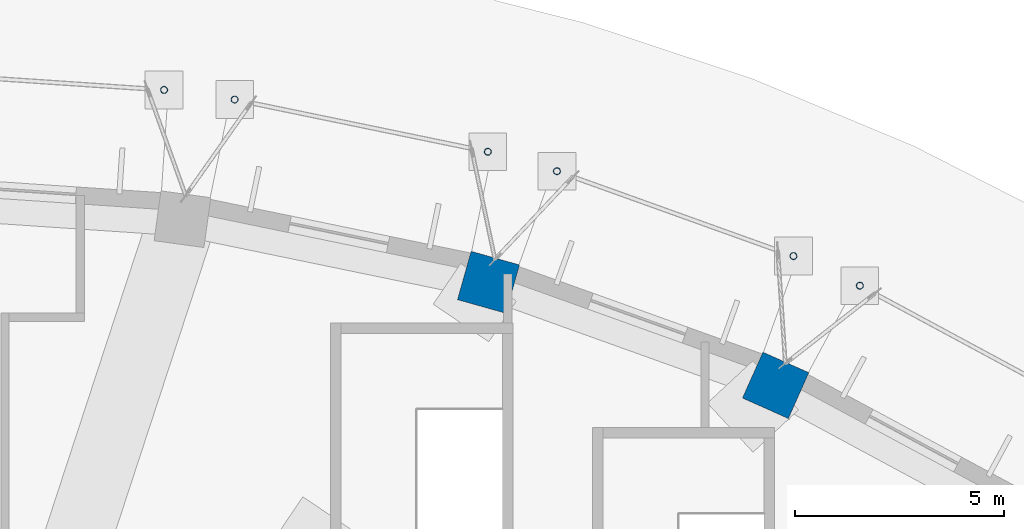
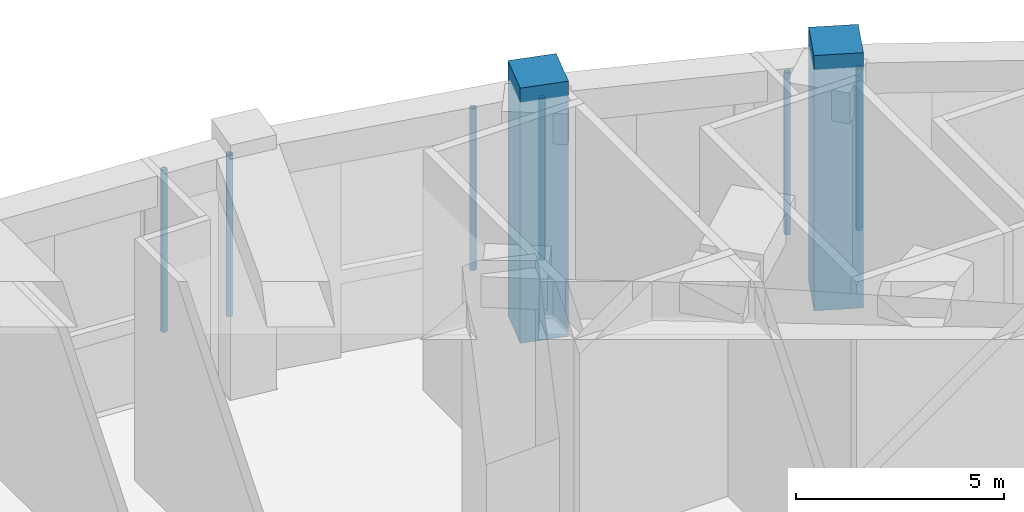
# One storey, part 20 of 60: 8 columns.
"""IFC4 building model written with IfcOpenShell, lengths in metres."""

import ifcopenshell
import ifcopenshell.guid

model = None  # the IFC model being written
_history = None  # IfcOwnerHistory: only IFC2X3 demands one
_inside = {}  # id of a spatial element -> (the spatial element, [elements in it])
_under = {}  # id of a project, library or spatial element -> (it, [spatial elements below it])
_declared = {}  # id of a project -> (the project, [libraries it declares])
_typed = {}  # id of a type object -> (the type object, [elements of that type])
_made_of = {}  # id of a material, layer set ... -> (it, [elements and type objects made of it])


def new_model(schema):
    """Start an empty IFC model of exactly this schema.

    Asked for "IFC4X3", IfcOpenShell would pick the latest addendum, in which some entities
    have other attributes; the version numbers below select the first issue.
    IFC2X3 requires an IfcOwnerHistory on every rooted entity: one is made here for all.
    """
    global model, _history
    if schema == "IFC4X3":
        model = ifcopenshell.file(schema_version=(4, 3, 0, 0))
    else:
        model = ifcopenshell.file(schema=schema)
    _inside.clear()
    _under.clear()
    _declared.clear()
    _typed.clear()
    _made_of.clear()
    _history = None
    if model.schema == "IFC2X3":
        org = make("IfcOrganization", Name="unknown")
        user = make(
            "IfcPersonAndOrganization",
            ThePerson=make("IfcPerson", FamilyName="unknown"),
            TheOrganization=org,
        )
        app = make(
            "IfcApplication",
            ApplicationDeveloper=org,
            Version="unknown",
            ApplicationFullName="unknown",
            ApplicationIdentifier="unknown",
        )
        _history = make(
            "IfcOwnerHistory",
            OwningUser=user,
            OwningApplication=app,
            ChangeAction="ADDED",
            CreationDate=0,
        )
    return model


def make(cls, **values):
    """One entity of the class cls with the attributes given. An attribute that is None is left unset."""
    return model.create_entity(
        cls, **{name: value for name, value in values.items() if value is not None}
    )


def rooted(cls, **values):
    """An entity with a GlobalId (a new one), such as an element, a storey or a relation."""
    return make(cls, GlobalId=ifcopenshell.guid.new(), OwnerHistory=_history, **values)


def si_unit(unit_type, name, prefix=None):
    """IfcSIUnit, for example si_unit("LENGTHUNIT", "METRE", prefix="MILLI")."""
    return make("IfcSIUnit", UnitType=unit_type, Prefix=prefix, Name=name)


def assignment(units):
    """IfcUnitAssignment: the units of a project."""
    return None if units is None else make("IfcUnitAssignment", Units=units)


def point(xyz):
    """IfcCartesianPoint."""
    return None if xyz is None else make("IfcCartesianPoint", Coordinates=xyz)


def direction(xyz):
    """IfcDirection."""
    return None if xyz is None else make("IfcDirection", DirectionRatios=xyz)


def frame(location, z_axis=None, x_axis=None):
    """IfcAxis2Placement3D, a coordinate frame: its origin and axes. An axis left out is left unset."""
    return make(
        "IfcAxis2Placement3D",
        Location=point(location),
        Axis=direction(z_axis),
        RefDirection=direction(x_axis),
    )


def frame_2d(location, x_axis=None):
    """IfcAxis2Placement2D, a coordinate frame in the plane: its origin and x axis."""
    return make(
        "IfcAxis2Placement2D", Location=point(location), RefDirection=direction(x_axis)
    )


def origin():
    """The frame at (0, 0, 0) with its axes left unset."""
    return frame((0.0, 0.0, 0.0))


def origin_2d():
    """The frame at (0, 0) in the plane with its x axis left unset."""
    return frame_2d((0.0, 0.0))


def place(relative_to, where):
    """IfcLocalPlacement: puts the frame where relative to a parent placement (None: the world)."""
    return make(
        "IfcLocalPlacement", PlacementRelTo=relative_to, RelativePlacement=where
    )


def context(
    kind, dimensions, precision=None, world=None, true_north=None, identifier=None
):
    """IfcGeometricRepresentationContext, for example the 3D "Model" context."""
    return make(
        "IfcGeometricRepresentationContext",
        ContextIdentifier=identifier,
        ContextType=kind,
        CoordinateSpaceDimension=dimensions,
        Precision=precision,
        WorldCoordinateSystem=world,
        TrueNorth=true_north,
    )


def subcontext(parent, identifier, kind, view, scale=None):
    """IfcGeometricRepresentationSubContext, for example "Body" below "Model"."""
    return make(
        "IfcGeometricRepresentationSubContext",
        ContextIdentifier=identifier,
        ContextType=kind,
        ParentContext=parent,
        TargetScale=scale,
        TargetView=view,
    )


def project(units=None, contexts=None):
    """IfcProject with its units and contexts."""
    return rooted(
        "IfcProject",
        Name="project",
        RepresentationContexts=contexts,
        UnitsInContext=assignment(units),
    )


def spatial(cls, under=None, at=None, **own):
    """A site, building, storey or space (cls), placed at a placement, below another one or the project."""
    s = rooted(cls, ObjectPlacement=at, **own)
    if under is not None:
        _under.setdefault(under.id(), (under, []))[1].append(s)
    return s


def profile(cls, at=None, kind="AREA", **sizes):
    """A parametric profile (cls). Its sizes go by their IFC names, for example OverallWidth=200.0."""
    return make(cls, ProfileType=kind, Position=at, **sizes)


def rectangle(**sizes):
    """IfcRectangleProfileDef."""
    return profile("IfcRectangleProfileDef", **sizes)


def hollow_circle(**sizes):
    """IfcCircleHollowProfileDef."""
    return profile("IfcCircleHollowProfileDef", **sizes)


def extrude(swept, where, along, depth):
    """IfcExtrudedAreaSolid: the profile swept, set in the frame where, extruded along a direction by depth."""
    return make(
        "IfcExtrudedAreaSolid",
        SweptArea=swept,
        Position=where,
        ExtrudedDirection=direction(along),
        Depth=depth,
    )


def shape(context_of_items, identifier, shape_type, items):
    """IfcShapeRepresentation: the items that make up one representation, for example the "Body"."""
    return make(
        "IfcShapeRepresentation",
        ContextOfItems=context_of_items,
        RepresentationIdentifier=identifier,
        RepresentationType=shape_type,
        Items=items,
    )


def material(Name=None, Category=None):
    """IfcMaterial."""
    return make("IfcMaterial", Name=Name, Category=Category)


def material_profile(
    of_material, cross_section, Name=None, Category=None, Priority=None
):
    """IfcMaterialProfile: a cross section and its material."""
    return make(
        "IfcMaterialProfile",
        Name=Name,
        Material=of_material,
        Profile=cross_section,
        Priority=Priority,
        Category=Category,
    )


def profile_set(profiles, Name=None, composite=None):
    """IfcMaterialProfileSet."""
    return make(
        "IfcMaterialProfileSet",
        Name=Name,
        MaterialProfiles=profiles,
        CompositeProfile=composite,
    )


def made_of(thing, what):
    """Note that an element or type object is made of a material, layer set ...; save() writes the relation."""
    if what is not None:
        _made_of.setdefault(what.id(), (what, []))[1].append(thing)
    return thing


def type_object(cls, material=None, **own):
    """A type object (cls), such as IfcWallType, which elements share."""
    return made_of(rooted(cls, **own), material)


def element(
    cls,
    number,
    at=None,
    inside=None,
    cuts=None,
    type_object=None,
    material=None,
    context=None,
    identifier="Body",
    shape_type=None,
    held_by="IfcProductDefinitionShape",
    body=None,
    shapes=None,
    **own,
):
    """One element of the class cls, such as IfcWall. Its Tag is "e" and its number.

    at: its placement. inside: the storey or other place that contains it. cuts: it is an
    opening in that element (IfcRelVoidsElement). A single representation is given by context,
    identifier, shape_type and body (its items); several are given by shapes. held_by: the class
    of the entity that holds the representations. save() writes the other relations.
    """
    e = rooted(cls, Tag="e%d" % number, ObjectPlacement=at, **own)
    if body is not None:
        shapes = [shape(context, identifier, shape_type, body)]
    if shapes is not None:
        e.Representation = make(held_by, Representations=shapes)
    if inside is not None:
        _inside.setdefault(inside.id(), (inside, []))[1].append(e)
    if cuts is not None:
        rooted(
            "IfcRelVoidsElement", RelatingBuildingElement=cuts, RelatedOpeningElement=e
        )
    if type_object is not None:
        _typed.setdefault(type_object.id(), (type_object, []))[1].append(e)
    return made_of(e, material)


def aggregate(whole, parts):
    """IfcRelAggregates: a whole, such as a stair, and the parts it consists of."""
    return rooted("IfcRelAggregates", RelatingObject=whole, RelatedObjects=parts)


def save(model, path):
    """Write the relations noted so far, then the file.

    IfcRelAggregates (storeys below a building ...), IfcRelContainedInSpatialStructure (elements
    in a storey), IfcRelDefinesByType, IfcRelAssociatesMaterial and IfcRelDeclares: one each for
    every whole, place, type object, material and project.
    """
    for whole, parts in _under.values():
        aggregate(whole, parts)
    for where, things in _inside.values():
        rooted(
            "IfcRelContainedInSpatialStructure",
            RelatedElements=things,
            RelatingStructure=where,
        )
    for kind, things in _typed.values():
        rooted("IfcRelDefinesByType", RelatedObjects=things, RelatingType=kind)
    for what, things in _made_of.values():
        rooted("IfcRelAssociatesMaterial", RelatedObjects=things, RelatingMaterial=what)
    for by, libraries in _declared.values():
        rooted("IfcRelDeclares", RelatingContext=by, RelatedDefinitions=libraries)
    model.write(path)


model = new_model("IFC4")

# Units and contexts
model_context = context("Model", 3, precision=1e-05, world=origin(), true_north=direction((0.0, 1.0)))
body_context = subcontext(model_context, "Body", "Model", "MODEL_VIEW")
ifc_project = project(units=[si_unit("LENGTHUNIT", "METRE"), si_unit("AREAUNIT", "SQUARE_METRE"), si_unit("VOLUMEUNIT", "CUBIC_METRE"), si_unit("PLANEANGLEUNIT", "RADIAN"), si_unit("MASSUNIT", "GRAM", prefix="KILO")], contexts=[model_context])

# Site, building, storey
site_placement = place(None, origin())
site = spatial("IfcSite", under=ifc_project, at=site_placement, CompositionType="ELEMENT")
building_placement = place(site_placement, origin())
building = spatial("IfcBuilding", under=site, at=building_placement, Name="Taillehof Tower", CompositionType="ELEMENT")
storey_placement = place(building_placement, origin())
storey = spatial("IfcBuildingStorey", under=building, at=storey_placement, Name="L00", CompositionType="ELEMENT", Elevation=0.0)

# Columns
ifc_material_1 = material(Name="Steel S460M", Category="steel")
ifc_material_profile_1 = material_profile(ifc_material_1, hollow_circle(Radius=0.084228515625, WallThickness=0.008056640625, at=origin_2d()), Name="CHS 168.3x8")
ifc_profile_set_1 = profile_set([ifc_material_profile_1], Name="Steel S460M")
column_type_1 = type_object("IfcColumnType", Name="Canopy post CHS 168.3x8", PredefinedType="COLUMN", material=ifc_profile_set_1)
for number, where, z_axis, x_axis, name in (
    (1, (23.711669921875, 31.30517578125, -0.199951171875), (0.0, 0.0, 1.0), (1.0, 0.0, 0.0), "Canopy post E9"),
    (2, (22.1259765625, 32.01220703125, -0.199951171875), (0.0, 0.0, 1.0), (1.0, 0.0, 0.0), "Canopy post E10"),
    (3, (16.4794921875, 34.038818359375, -0.199951171875), (0.0, 0.0, 1.0), (1.0, 0.0, 0.0), "Canopy post E10"),
    (4, (14.82958984375, 34.502197265625, -0.199951171875), (0.0, 0.0, 1.0), (1.0, 0.0, 0.0), "Canopy post E11"),
    (5, (8.783203125, 35.749267578125, -0.199951171875), (0.0, 0.0, 1.0), (1.0, 0.0, 0.0), "Canopy post E11"),
    (6, (7.098388671875, 35.978515625, -0.199951171875), (0.0, 0.0, 1.0), (1.0, 0.0, 0.0), "Canopy post E12"),
):
    element("IfcColumn", number, at=place(storey_placement, frame(where, z_axis=z_axis, x_axis=x_axis)), inside=storey, type_object=column_type_1, Name=name, PredefinedType="COLUMN", context=body_context, shape_type="SweptSolid", body=[
        extrude(hollow_circle(Radius=0.084228515625, WallThickness=0.008056640625, at=origin_2d()), origin(), (0.0, 0.0, 1.0), 4.7548828125),
    ])
ifc_material_2 = material(Name="Concrete C60/75", Category="concrete")
ifc_material_profile_2 = material_profile(ifc_material_2, rectangle(XDim=1.199951171875, YDim=1.199951171875, at=origin_2d()), Name="RC 1200x1200")
ifc_profile_set_2 = profile_set([ifc_material_profile_2], Name="Concrete C60/75")
column_type_2 = type_object("IfcColumnType", Name="Podium column C60/75 1200x1200", PredefinedType="COLUMN", material=ifc_profile_set_2)
for number, where, z_axis, x_axis, name in (
    (7, (21.699951171875, 28.92529296875, 0.0), (0.0, 0.0, 1.0), (0.407426758957, 0.913237885814, 0.0), "Podium column PC07"),
    (8, (14.84375, 31.3857421875, 0.0), (0.0, 0.0, 1.0), (0.270745277365, 0.962651024403, 0.0), "Podium column PC08"),
):
    element("IfcColumn", number, at=place(storey_placement, frame(where, z_axis=z_axis, x_axis=x_axis)), inside=storey, type_object=column_type_2, Name=name, PredefinedType="COLUMN", context=body_context, shape_type="SweptSolid", body=[
        extrude(rectangle(XDim=1.199951171875, YDim=1.199951171875, at=origin_2d()), origin(), (0.0, 0.0, 1.0), 7.5),
    ])

save(model, "model.ifc")
